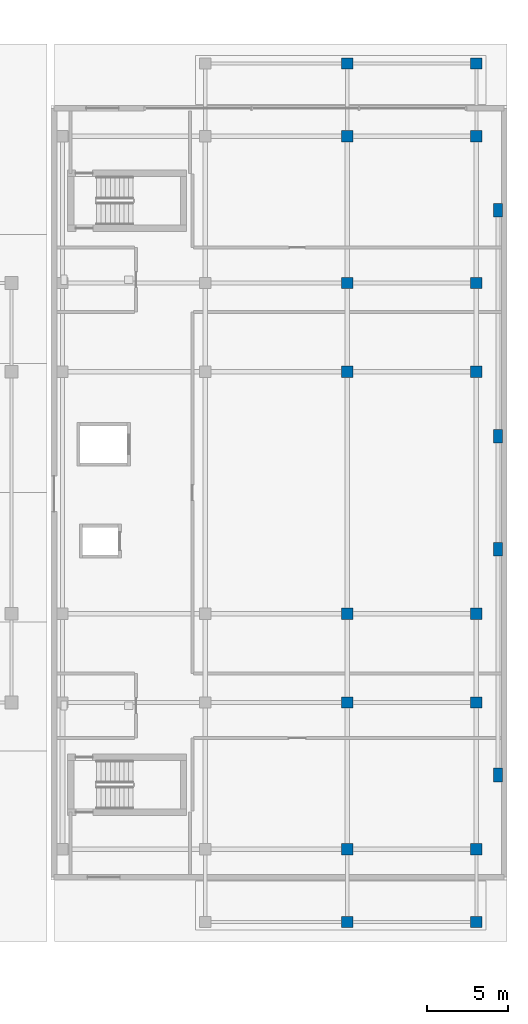
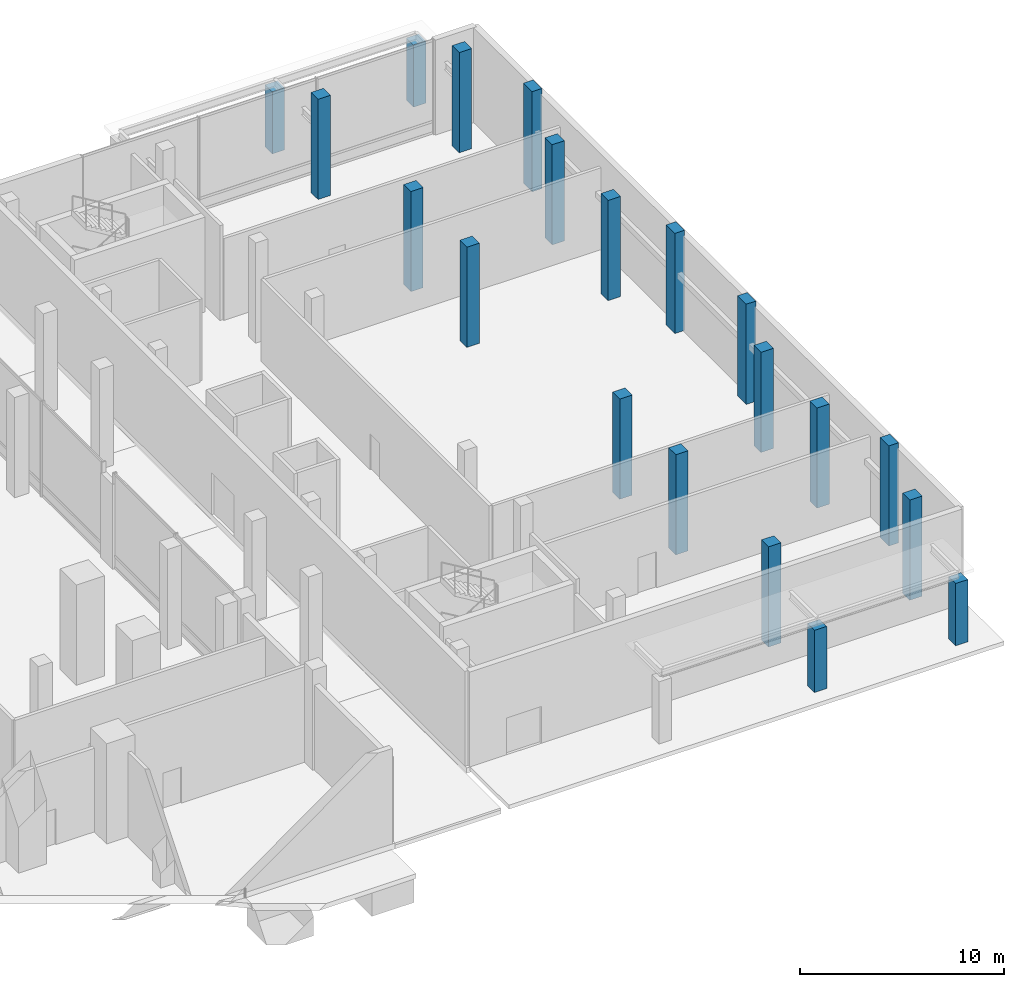
# One storey, part 2 of 34: 20 columns.
"""IFC4 building model written with IfcOpenShell, lengths in metres."""

from ifc_helpers import new_model, si_unit, direction, frame, origin, origin_2d, place, context, subcontext, project, spatial, rectangle, extrude, material, material_profile, profile_set, type_object, element, save


model = new_model("IFC4")

# Units and contexts
model_context = context("Model", 3, precision=1e-05, world=origin(), true_north=direction((0.0, 1.0)))
body_context = subcontext(model_context, "Body", "Model", "MODEL_VIEW")
ifc_project = project(units=[si_unit("LENGTHUNIT", "METRE"), si_unit("AREAUNIT", "SQUARE_METRE"), si_unit("VOLUMEUNIT", "CUBIC_METRE"), si_unit("PLANEANGLEUNIT", "RADIAN"), si_unit("MASSUNIT", "GRAM", prefix="KILO")], contexts=[model_context])

# Site, building, storey
site_placement = place(None, origin())
site = spatial("IfcSite", under=ifc_project, at=site_placement, CompositionType="ELEMENT")
building_placement = place(site_placement, origin())
building = spatial("IfcBuilding", under=site, at=building_placement, Name="Barlavira Tower and Art Museum", CompositionType="ELEMENT")
storey_placement = place(building_placement, origin())
storey = spatial("IfcBuildingStorey", under=building, at=storey_placement, Name="L00", CompositionType="ELEMENT", Elevation=0.0)

# Columns
ifc_material = material(Name="Concrete C50", Category="concrete")
ifc_material_profile_1 = material_profile(ifc_material, rectangle(XDim=0.550048828125, YDim=0.85009765625, at=origin_2d()), Name="RC-PIL 550x850")
ifc_profile_set_1 = profile_set([ifc_material_profile_1], Name="Concrete C50")
column_type_1 = type_object("IfcColumnType", Name="Museum Coastal Facade Pilaster 550x850 Concrete C50", PredefinedType="PILASTER", material=ifc_profile_set_1)
for number, where, z_axis, x_axis, name in (
    (1, (56.949951171875, -17.5, 0.0), (0.0, 0.0, 1.0), (1.0, 0.0, 0.0), "L00 Museum Facade Pilaster 1"),
    (2, (56.949951171875, -3.5, 0.0), (0.0, 0.0, 1.0), (1.0, 0.0, 0.0), "L00 Museum Facade Pilaster 2"),
    (3, (56.949951171875, 3.5, 0.0), (0.0, 0.0, 1.0), (1.0, 0.0, 0.0), "L00 Museum Facade Pilaster 3"),
    (4, (56.949951171875, 17.5, 0.0), (0.0, 0.0, 1.0), (1.0, 0.0, 0.0), "L00 Museum Facade Pilaster 4"),
):
    element("IfcColumn", number, at=place(storey_placement, frame(where, z_axis=z_axis, x_axis=x_axis)), inside=storey, type_object=column_type_1, Name=name, PredefinedType="PILASTER", context=body_context, shape_type="SweptSolid", body=[
        extrude(rectangle(XDim=0.550048828125, YDim=0.85009765625, at=origin_2d()), origin(), (0.0, 0.0, 1.0), 6.0),
    ])
ifc_material_profile_2 = material_profile(ifc_material, rectangle(XDim=0.699951171875, YDim=0.699951171875, at=origin_2d()), Name="RC-COL 700x700")
ifc_profile_set_2 = profile_set([ifc_material_profile_2], Name="Concrete C50")
column_type_2 = type_object("IfcColumnType", Name="Museum Frame Column 700x700 Concrete C50", PredefinedType="COLUMN", material=ifc_profile_set_2)
for number, where, z_axis, x_axis, name in (
    (5, (47.60009765625, -26.60009765625, 0.0), (0.0, 0.0, 1.0), (1.0, 0.0, 0.0), "L00 Pergola Column 2"),
    (6, (55.60009765625, -26.60009765625, 0.0), (0.0, 0.0, 1.0), (1.0, 0.0, 0.0), "L00 Pergola Column 3"),
    (7, (47.60009765625, 26.60009765625, 0.0), (0.0, 0.0, 1.0), (1.0, 0.0, 0.0), "L00 Pergola Column 5"),
    (8, (55.60009765625, 26.60009765625, 0.0), (0.0, 0.0, 1.0), (1.0, 0.0, 0.0), "L00 Pergola Column 6"),
):
    element("IfcColumn", number, at=place(storey_placement, frame(where, z_axis=z_axis, x_axis=x_axis)), inside=storey, type_object=column_type_2, Name=name, PredefinedType="COLUMN", context=body_context, shape_type="SweptSolid", body=[
        extrude(rectangle(XDim=0.699951171875, YDim=0.699951171875, at=origin_2d()), origin(), (0.0, 0.0, 1.0), 3.73095703125),
    ])
for number, where, z_axis, x_axis, name in (
    (9, (47.60009765625, -22.10009765625, 0.0), (0.0, 0.0, 1.0), (1.0, 0.0, 0.0), "L00 Museum Column 3-1"),
    (10, (47.60009765625, -13.0, 0.0), (0.0, 0.0, 1.0), (1.0, 0.0, 0.0), "L00 Museum Column 3-2"),
    (11, (47.60009765625, -7.5, 0.0), (0.0, 0.0, 1.0), (1.0, 0.0, 0.0), "L00 Museum Column 3-3"),
    (12, (47.60009765625, 7.5, 0.0), (0.0, 0.0, 1.0), (1.0, 0.0, 0.0), "L00 Museum Column 3-4"),
    (13, (47.60009765625, 13.0, 0.0), (0.0, 0.0, 1.0), (1.0, 0.0, 0.0), "L00 Museum Column 3-5"),
    (14, (47.60009765625, 22.10009765625, 0.0), (0.0, 0.0, 1.0), (1.0, 0.0, 0.0), "L00 Museum Column 3-6"),
    (15, (55.60009765625, -22.10009765625, 0.0), (0.0, 0.0, 1.0), (1.0, 0.0, 0.0), "L00 Museum Column 4-1"),
    (16, (55.60009765625, -13.0, 0.0), (0.0, 0.0, 1.0), (1.0, 0.0, 0.0), "L00 Museum Column 4-2"),
    (17, (55.60009765625, -7.5, 0.0), (0.0, 0.0, 1.0), (1.0, 0.0, 0.0), "L00 Museum Column 4-3"),
    (18, (55.60009765625, 7.5, 0.0), (0.0, 0.0, 1.0), (1.0, 0.0, 0.0), "L00 Museum Column 4-4"),
    (19, (55.60009765625, 13.0, 0.0), (0.0, 0.0, 1.0), (1.0, 0.0, 0.0), "L00 Museum Column 4-5"),
    (20, (55.60009765625, 22.10009765625, 0.0), (0.0, 0.0, 1.0), (1.0, 0.0, 0.0), "L00 Museum Column 4-6"),
):
    element("IfcColumn", number, at=place(storey_placement, frame(where, z_axis=z_axis, x_axis=x_axis)), inside=storey, type_object=column_type_2, Name=name, PredefinedType="COLUMN", context=body_context, shape_type="SweptSolid", body=[
        extrude(rectangle(XDim=0.699951171875, YDim=0.699951171875, at=origin_2d()), origin(), (0.0, 0.0, 1.0), 6.0),
    ])

save(model, "model.ifc")
